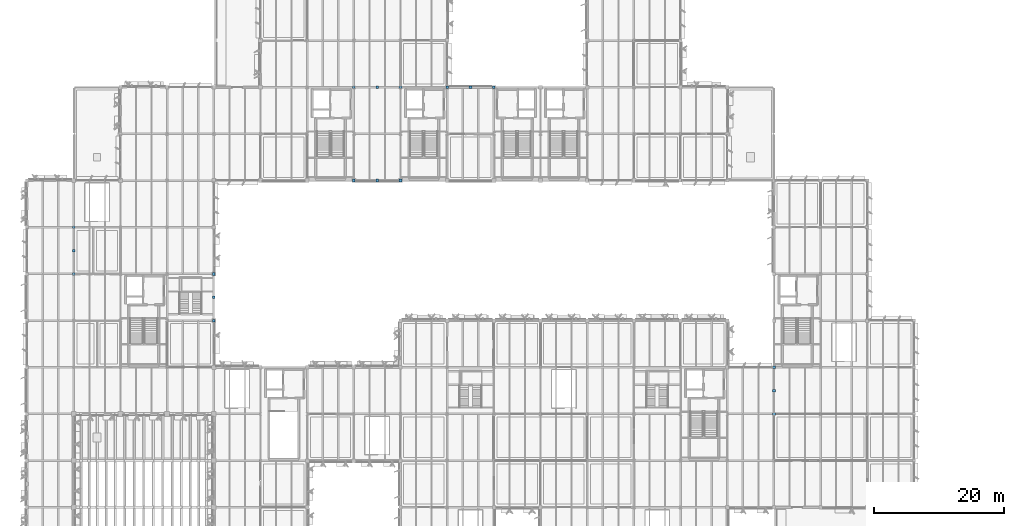
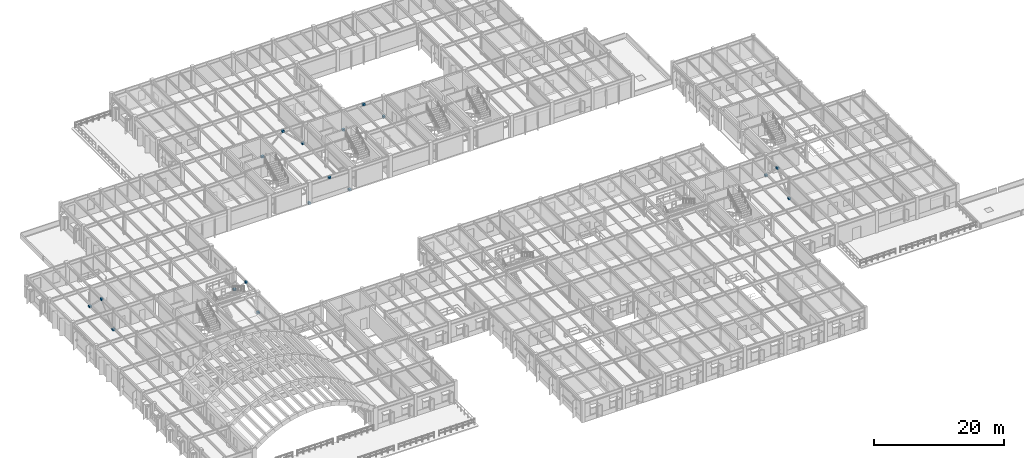
# One storey, part 30 of 85: 18 plates.
"""IFC4 building model written with IfcOpenShell, lengths in metres."""

from ifc_helpers import new_model, si_unit, direction, frame, origin, origin_2d, place, context, subcontext, project, spatial, rectangle, extrude, material, type_object, element, save


model = new_model("IFC4")

# Units and contexts
model_context = context("Model", 3, precision=1e-05, world=origin(), true_north=direction((0.0, 1.0)))
body_context = subcontext(model_context, "Body", "Model", "MODEL_VIEW")
ifc_project = project(units=[si_unit("LENGTHUNIT", "METRE"), si_unit("AREAUNIT", "SQUARE_METRE"), si_unit("VOLUMEUNIT", "CUBIC_METRE"), si_unit("PLANEANGLEUNIT", "RADIAN"), si_unit("MASSUNIT", "GRAM", prefix="KILO")], contexts=[model_context])

# Site, building, storey
site_placement = place(None, origin())
site = spatial("IfcSite", under=ifc_project, at=site_placement, CompositionType="ELEMENT")
building_placement = place(site_placement, origin())
building = spatial("IfcBuilding", under=site, at=building_placement, Name="Sillqori Civic Hall", CompositionType="ELEMENT")
storey_placement = place(building_placement, frame((0.0, 0.0, 9.89990234375)))
storey = spatial("IfcBuildingStorey", under=building, at=storey_placement, Name="L03", CompositionType="ELEMENT", Elevation=9.89990234375)

# Plates
ifc_material = material(Name="Steel ASTM A36", Category="steel")
plate_type = type_object("IfcPlateType", Name="PLT-GUSSET-20", PredefinedType="SHEET", material=ifc_material)
for number, where, z_axis, x_axis, name in (
    (1, (61.199951171875, 79.199951171875, 3.52001953125), (0.0, 0.0, 1.0), (1.0, 0.0, 0.0), "L03 chevron brace node plate APX"),
    (2, (57.60009765625, 79.199951171875, -0.02978515625), (0.0, 0.0, 1.0), (1.0, 0.0, 0.0), "L03 chevron brace node plate BSL"),
    (3, (64.800048828125, 79.199951171875, -0.02978515625), (0.0, 0.0, 1.0), (1.0, 0.0, 0.0), "L03 chevron brace node plate BSR"),
    (4, (61.199951171875, 93.60009765625, 3.52001953125), (0.0, 0.0, 1.0), (1.0, 0.0, 0.0), "L03 chevron brace node plate APX"),
    (5, (57.60009765625, 93.60009765625, -0.02978515625), (0.0, 0.0, 1.0), (1.0, 0.0, 0.0), "L03 chevron brace node plate BSL"),
    (6, (64.800048828125, 93.60009765625, -0.02978515625), (0.0, 0.0, 1.0), (1.0, 0.0, 0.0), "L03 chevron brace node plate BSR"),
    (7, (75.60009765625, 93.60009765625, 3.52001953125), (0.0, 0.0, 1.0), (1.0, 0.0, 0.0), "L03 chevron brace node plate APX"),
    (8, (72.0, 93.60009765625, -0.02978515625), (0.0, 0.0, 1.0), (1.0, 0.0, 0.0), "L03 chevron brace node plate BSL"),
    (9, (79.199951171875, 93.60009765625, -0.02978515625), (0.0, 0.0, 1.0), (1.0, 0.0, 0.0), "L03 chevron brace node plate BSR"),
    (10, (36.0, 61.199951171875, 3.52001953125), (0.0, 0.0, 1.0), (1.0, 0.0, 0.0), "L03 chevron brace node plate APX"),
    (11, (36.0, 57.60009765625, -0.02978515625), (0.0, 0.0, 1.0), (1.0, 0.0, 0.0), "L03 chevron brace node plate BSL"),
    (12, (36.0, 64.800048828125, -0.02978515625), (0.0, 0.0, 1.0), (1.0, 0.0, 0.0), "L03 chevron brace node plate BSR"),
    (13, (14.39990234375, 68.39990234375, 3.52001953125), (0.0, 0.0, 1.0), (1.0, 0.0, 0.0), "L03 chevron brace node plate APX"),
    (14, (14.39990234375, 64.800048828125, -0.02978515625), (0.0, 0.0, 1.0), (1.0, 0.0, 0.0), "L03 chevron brace node plate BSL"),
    (15, (14.39990234375, 72.0, -0.02978515625), (0.0, 0.0, 1.0), (1.0, 0.0, 0.0), "L03 chevron brace node plate BSR"),
    (16, (122.39990234375, 46.800048828125, 3.52001953125), (0.0, 0.0, 1.0), (1.0, 0.0, 0.0), "L03 chevron brace node plate APX"),
    (17, (122.39990234375, 43.199951171875, -0.02978515625), (0.0, 0.0, 1.0), (1.0, 0.0, 0.0), "L03 chevron brace node plate BSL"),
    (18, (122.39990234375, 50.39990234375, -0.02978515625), (0.0, 0.0, 1.0), (1.0, 0.0, 0.0), "L03 chevron brace node plate BSR"),
):
    element("IfcPlate", number, at=place(storey_placement, frame(where, z_axis=z_axis, x_axis=x_axis)), inside=storey, type_object=plate_type, Name=name, PredefinedType="SHEET", context=body_context, shape_type="SweptSolid", body=[
        extrude(rectangle(XDim=0.419921875, YDim=0.419921875, at=origin_2d()), origin(), (0.0, 0.0, 1.0), 0.360107421875),
    ])

save(model, "model.ifc")
